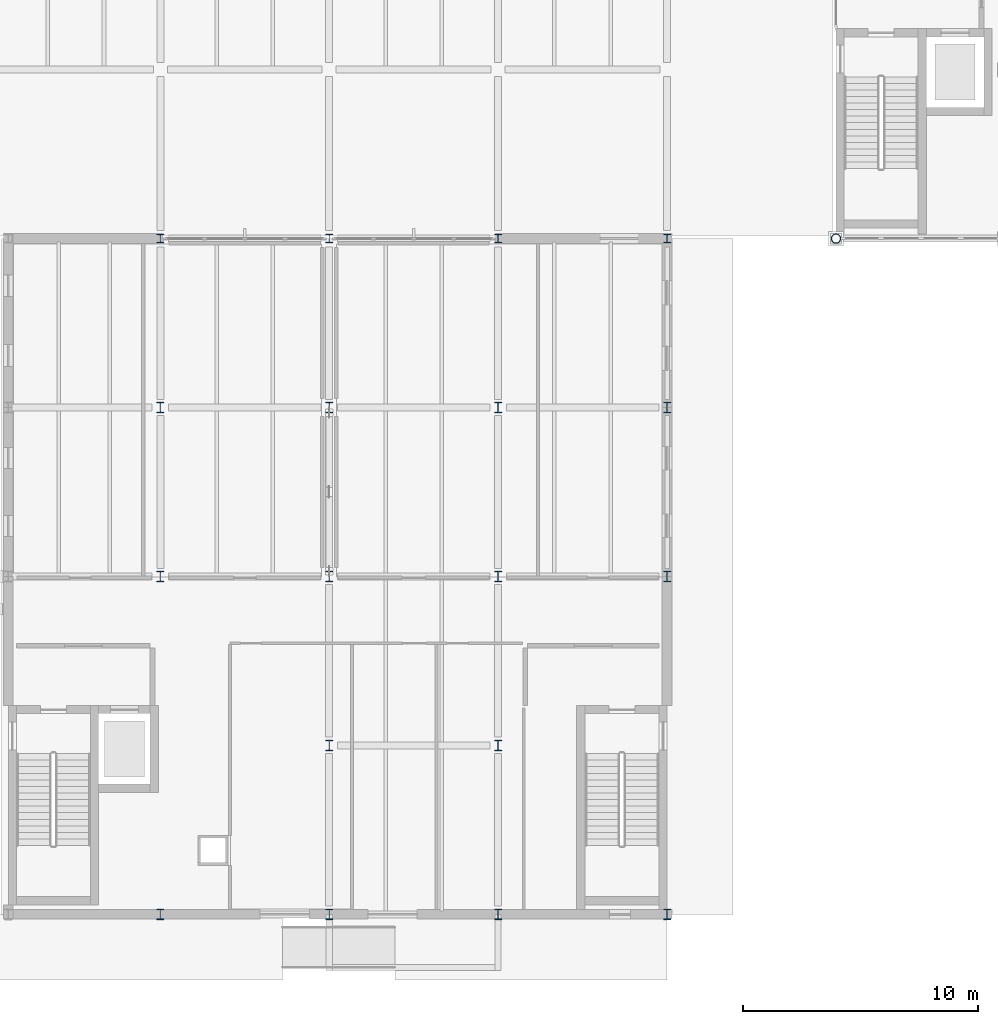
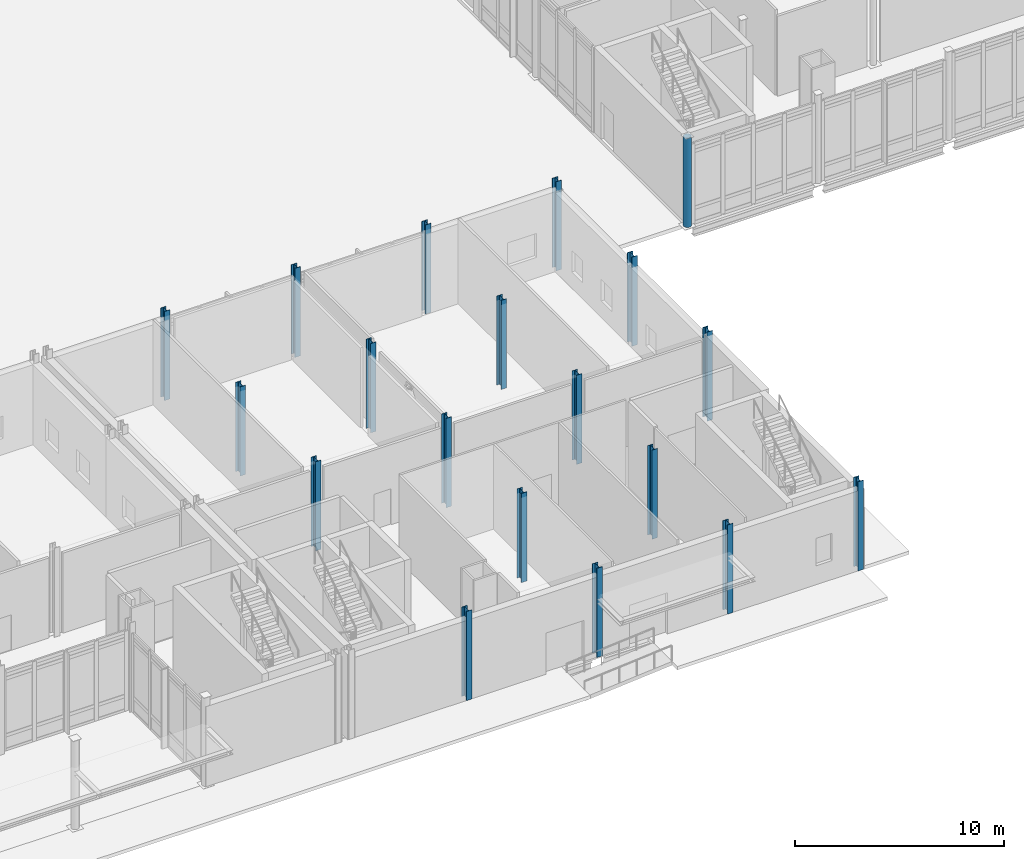
# One storey, part 4 of 89: 19 columns.
"""IFC4 building model written with IfcOpenShell, lengths in metres."""

from ifc_helpers import new_model, si_unit, direction, frame, origin, origin_2d, place, context, subcontext, project, spatial, hollow_circle, i_section, extrude, material, material_profile, profile_set, type_object, element, save


model = new_model("IFC4")

# Units and contexts
model_context = context("Model", 3, precision=1e-05, world=origin(), true_north=direction((0.0, 1.0)))
body_context = subcontext(model_context, "Body", "Model", "MODEL_VIEW")
ifc_project = project(units=[si_unit("LENGTHUNIT", "METRE"), si_unit("AREAUNIT", "SQUARE_METRE"), si_unit("VOLUMEUNIT", "CUBIC_METRE"), si_unit("PLANEANGLEUNIT", "RADIAN"), si_unit("MASSUNIT", "GRAM", prefix="KILO")], contexts=[model_context])

# Site, building, storey
site_placement = place(None, origin())
site = spatial("IfcSite", under=ifc_project, at=site_placement, CompositionType="ELEMENT")
building_placement = place(site_placement, origin())
building = spatial("IfcBuilding", under=site, at=building_placement, Name="Zarrinpeak Specialist Clinic", CompositionType="ELEMENT")
storey_placement = place(building_placement, origin())
storey = spatial("IfcBuildingStorey", under=building, at=storey_placement, Name="L00", CompositionType="ELEMENT", Elevation=0.0)

# Columns
ifc_material = material(Name="Steel S355", Category="steel")
ifc_material_profile_1 = material_profile(ifc_material, hollow_circle(Radius=0.203125, WallThickness=0.01611328125, at=origin_2d()), Name="CHS 406.4x16.0")
ifc_profile_set_1 = profile_set([ifc_material_profile_1], Name="Steel S355")
column_type_1 = type_object("IfcColumnType", Name="COL-CHS406", PredefinedType="COLUMN", material=ifc_profile_set_1)
column_placement = place(storey_placement, frame((93.60009765625, 28.800048828125, 0.0), z_axis=(0.0, 0.0, 1.0), x_axis=(1.0, 0.0, 0.0)))
element("IfcColumn", 1, at=column_placement, inside=storey, type_object=column_type_1, Name="L00 Structural Column COL-L00-138", PredefinedType="COLUMN", context=body_context, shape_type="SweptSolid", body=[
    extrude(hollow_circle(Radius=0.203125, WallThickness=0.01611328125, at=origin_2d()), origin(), (0.0, 0.0, 1.0), 5.199951171875),
])
ifc_material_profile_2 = material_profile(ifc_material, i_section(OverallWidth=0.300048828125, OverallDepth=0.360107421875, WebThickness=0.012451171875, FlangeThickness=0.0224609375, FilletRadius=0.027099609375, at=origin_2d()), Name="HEB 360")
ifc_profile_set_2 = profile_set([ifc_material_profile_2], Name="Steel S355")
column_type_2 = type_object("IfcColumnType", Name="COL-HEB360", PredefinedType="COLUMN", material=ifc_profile_set_2)
for number, where, z_axis, x_axis, name in (
    (2, (64.800048828125, 28.800048828125, 0.0), (0.0, 0.0, 1.0), (1.0, 0.0, 0.0), "L00 Structural Column COL-L00-118"),
    (3, (72.0, 28.800048828125, 0.0), (0.0, 0.0, 1.0), (1.0, 0.0, 0.0), "L00 Structural Column COL-L00-128"),
    (4, (79.199951171875, 28.800048828125, 0.0), (0.0, 0.0, 1.0), (1.0, 0.0, 0.0), "L00 Structural Column COL-L00-133"),
    (5, (86.39990234375, 28.800048828125, 0.0), (0.0, 0.0, 1.0), (1.0, 0.0, 0.0), "L00 Structural Column COL-L00-137"),
):
    element("IfcColumn", number, at=place(storey_placement, frame(where, z_axis=z_axis, x_axis=x_axis)), inside=storey, type_object=column_type_2, Name=name, PredefinedType="COLUMN", context=body_context, shape_type="SweptSolid", body=[
        extrude(i_section(OverallWidth=0.300048828125, OverallDepth=0.360107421875, WebThickness=0.012451171875, FlangeThickness=0.0224609375, FilletRadius=0.027099609375, at=origin_2d()), origin(), (0.0, 0.0, 1.0), 5.199951171875),
    ])
ifc_material_profile_3 = material_profile(ifc_material, i_section(OverallWidth=0.300048828125, OverallDepth=0.449951171875, WebThickness=0.013916015625, FlangeThickness=0.02587890625, FilletRadius=0.027099609375, at=origin_2d()), Name="HEB 450")
ifc_profile_set_3 = profile_set([ifc_material_profile_3], Name="Steel S355")
column_type_3 = type_object("IfcColumnType", Name="COL-HEB450", PredefinedType="COLUMN", material=ifc_profile_set_3)
for number, where, z_axis, x_axis, name in (
    (6, (64.800048828125, 0.0, 0.0), (0.0, 0.0, 1.0), (1.0, 0.0, 0.0), "L00 Structural Column COL-L00-115"),
    (7, (64.800048828125, 14.39990234375, 0.0), (0.0, 0.0, 1.0), (1.0, 0.0, 0.0), "L00 Structural Column COL-L00-116"),
    (8, (64.800048828125, 21.60009765625, 0.0), (0.0, 0.0, 1.0), (1.0, 0.0, 0.0), "L00 Structural Column COL-L00-117"),
    (9, (72.0, 0.0, 0.0), (0.0, 0.0, 1.0), (1.0, 0.0, 0.0), "L00 Structural Column COL-L00-124"),
    (10, (72.0, 7.199951171875, 0.0), (0.0, 0.0, 1.0), (1.0, 0.0, 0.0), "L00 Structural Column COL-L00-125"),
    (11, (72.0, 14.39990234375, 0.0), (0.0, 0.0, 1.0), (1.0, 0.0, 0.0), "L00 Structural Column COL-L00-126"),
    (12, (72.0, 21.60009765625, 0.0), (0.0, 0.0, 1.0), (1.0, 0.0, 0.0), "L00 Structural Column COL-L00-127"),
    (13, (79.199951171875, 0.0, 0.0), (0.0, 0.0, 1.0), (1.0, 0.0, 0.0), "L00 Structural Column COL-L00-129"),
    (14, (79.199951171875, 7.199951171875, 0.0), (0.0, 0.0, 1.0), (1.0, 0.0, 0.0), "L00 Structural Column COL-L00-130"),
    (15, (79.199951171875, 14.39990234375, 0.0), (0.0, 0.0, 1.0), (1.0, 0.0, 0.0), "L00 Structural Column COL-L00-131"),
    (16, (79.199951171875, 21.60009765625, 0.0), (0.0, 0.0, 1.0), (1.0, 0.0, 0.0), "L00 Structural Column COL-L00-132"),
    (17, (86.39990234375, 0.0, 0.0), (0.0, 0.0, 1.0), (1.0, 0.0, 0.0), "L00 Structural Column COL-L00-134"),
    (18, (86.39990234375, 14.39990234375, 0.0), (0.0, 0.0, 1.0), (1.0, 0.0, 0.0), "L00 Structural Column COL-L00-135"),
    (19, (86.39990234375, 21.60009765625, 0.0), (0.0, 0.0, 1.0), (1.0, 0.0, 0.0), "L00 Structural Column COL-L00-136"),
):
    element("IfcColumn", number, at=place(storey_placement, frame(where, z_axis=z_axis, x_axis=x_axis)), inside=storey, type_object=column_type_3, Name=name, PredefinedType="COLUMN", context=body_context, shape_type="SweptSolid", body=[
        extrude(i_section(OverallWidth=0.300048828125, OverallDepth=0.449951171875, WebThickness=0.013916015625, FlangeThickness=0.02587890625, FilletRadius=0.027099609375, at=origin_2d()), origin(), (0.0, 0.0, 1.0), 5.199951171875),
    ])

save(model, "model.ifc")
